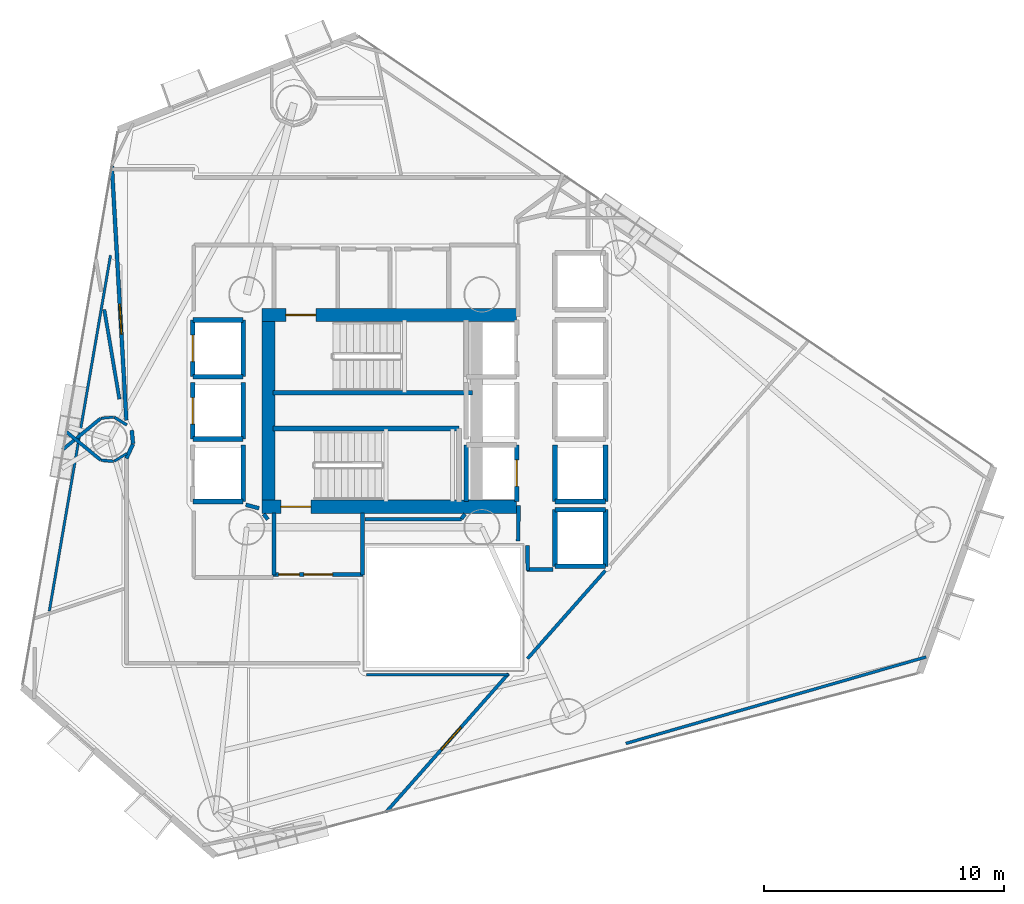
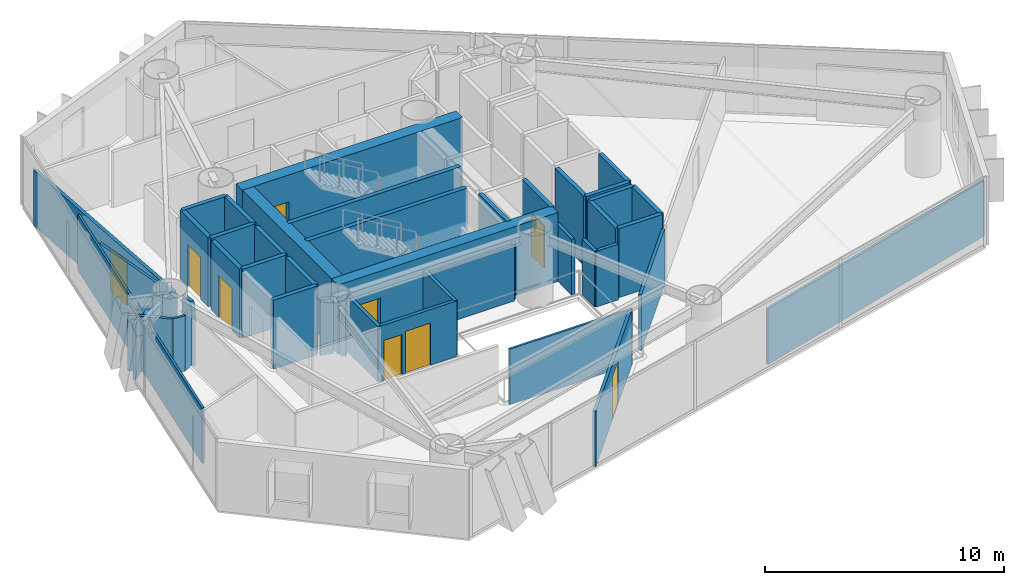
# One storey, part 16 of 21: 48 walls, 9 doors, 9 openings.
"""IFC4 building model written with IfcOpenShell, lengths in metres."""

from ifc_helpers import new_model, si_unit, direction, frame, frame_2d, origin, place, context, subcontext, project, spatial, rectangle, extrude, material, layer, layer_set, type_object, element, fill, save


model = new_model("IFC4")

# Units and contexts
model_context = context("Model", 3, precision=1e-05, world=origin(), true_north=direction((0.0, 1.0)))
body_context = subcontext(model_context, "Body", "Model", "MODEL_VIEW")
ifc_project = project(units=[si_unit("LENGTHUNIT", "METRE"), si_unit("AREAUNIT", "SQUARE_METRE"), si_unit("VOLUMEUNIT", "CUBIC_METRE"), si_unit("PLANEANGLEUNIT", "RADIAN"), si_unit("MASSUNIT", "GRAM", prefix="KILO")], contexts=[model_context])

# Site, building, storey
site_placement = place(None, origin())
site = spatial("IfcSite", under=ifc_project, at=site_placement, CompositionType="ELEMENT")
building_placement = place(site_placement, origin())
building = spatial("IfcBuilding", under=site, at=building_placement, Name="Qianvela Tower", CompositionType="ELEMENT")
storey_placement = place(building_placement, frame((0.0, 0.0, 108.89990234375)))
storey = spatial("IfcBuildingStorey", under=building, at=storey_placement, Name="L27", CompositionType="ELEMENT", Elevation=108.89990234375)

# Wall, opening, door
ifc_material_1 = material(Name="Concrete C60", Category="concrete")
ifc_layer_1 = layer(ifc_material_1, 0.550048828125)
ifc_layer_set_1 = layer_set([ifc_layer_1], Name="Concrete C60")
wall_type_1 = type_object("IfcWallType", Name="WT-CORE-550", PredefinedType="SHEAR", material=ifc_layer_set_1)
wall_1_placement = place(storey_placement, frame((29.22998046875, 32.695068359375, 0.0), z_axis=(0.0, 0.0, 1.0), x_axis=(1.0, 0.0, 0.0)))
wall_1 = element("IfcWall", 1, at=wall_1_placement, inside=storey, type_object=wall_type_1, Name="L27 North Core Shear Wall", PredefinedType="SHEAR", context=body_context, shape_type="SweptSolid", body=[
    extrude(rectangle(XDim=10.6201171875, YDim=0.550048828125, at=frame_2d((5.31005859375, 0.0))), origin(), (0.0, 0.0, 1.0), 3.52001953125),
])
opening_1_placement = place(wall_1_placement, frame((0.9951171875, 0.0, 0.0)))
opening_1 = element("IfcOpeningElement", 2, at=opening_1_placement, cuts=wall_1, Name="Opening D-ST1", PredefinedType="OPENING", context=body_context, shape_type="SweptSolid", body=[
    extrude(rectangle(XDim=1.25, YDim=2.14990234375, at=frame_2d((0.625, 1.074951171875))), frame((0.0, 0.284912109375, 0.0), z_axis=(0.0, -1.0, 0.0), x_axis=(1.0, 0.0, 0.0)), (0.0, 0.0, 1.0), 0.570068359375),
])
ifc_material_2 = material(Name="Galvanised Fire Steel Q355B", Category="steel")
door_type_1 = type_object("IfcDoorType", Name="DT-STAIR-FD90", OperationType="NOTDEFINED", PredefinedType="DOOR", material=ifc_material_2)
door_1_placement = place(opening_1_placement, origin())
door_1 = element("IfcDoor", 3, at=door_1_placement, inside=storey, type_object=door_type_1, Name="L27 Stair ST-1 Exit Door", OperationType="SINGLE_SWING_RIGHT", OverallHeight=2.14990234375, OverallWidth=1.25, PredefinedType="DOOR", context=body_context, shape_type="SweptSolid", body=[
    extrude(rectangle(XDim=1.25, YDim=2.14990234375, at=frame_2d((0.625, 1.074951171875))), frame((0.0, 0.02490234375, 0.0), z_axis=(0.0, -1.0, 0.0), x_axis=(1.0, 0.0, 0.0)), (0.0, 0.0, 1.0), 0.050048828125),
])
fill(opening_1, door_1)

wall_2_placement = place(storey_placement, frame((29.22998046875, 24.705078125, 0.0), z_axis=(0.0, 0.0, 1.0), x_axis=(1.0, 0.0, 0.0)))
wall_2 = element("IfcWall", 4, at=wall_2_placement, inside=storey, type_object=wall_type_1, Name="L27 South Core Shear Wall", PredefinedType="SHEAR", context=body_context, shape_type="SweptSolid", body=[
    extrude(rectangle(XDim=10.6201171875, YDim=0.550048828125, at=frame_2d((5.31005859375, 0.0))), origin(), (0.0, 0.0, 1.0), 3.52001953125),
])
opening_2_placement = place(wall_2_placement, frame((0.794921875, 0.0, 0.0)))
opening_2 = element("IfcOpeningElement", 5, at=opening_2_placement, cuts=wall_2, Name="Opening D-ST1", PredefinedType="OPENING", context=body_context, shape_type="SweptSolid", body=[
    extrude(rectangle(XDim=1.25, YDim=2.14990234375, at=frame_2d((0.625, 1.074951171875))), frame((0.0, 0.284912109375, 0.0), z_axis=(0.0, -1.0, 0.0), x_axis=(1.0, 0.0, 0.0)), (0.0, 0.0, 1.0), 0.570068359375),
])
door_2_placement = place(opening_2_placement, origin())
door_2 = element("IfcDoor", 6, at=door_2_placement, inside=storey, type_object=door_type_1, Name="L27 Stair ST-2 Exit Door", OperationType="SINGLE_SWING_RIGHT", OverallHeight=2.14990234375, OverallWidth=1.25, PredefinedType="DOOR", context=body_context, shape_type="SweptSolid", body=[
    extrude(rectangle(XDim=1.25, YDim=2.14990234375, at=frame_2d((0.625, 1.074951171875))), frame((0.0, 0.02490234375, 0.0), z_axis=(0.0, -1.0, 0.0), x_axis=(1.0, 0.0, 0.0)), (0.0, 0.0, 1.0), 0.050048828125),
])
fill(opening_2, door_2)

# Wall
wall_3_placement = place(storey_placement, frame((29.5048828125, 24.97998046875, 0.0), z_axis=(0.0, 0.0, 1.0), x_axis=(0.0, 1.0, 0.0)))
element("IfcWall", 7, at=wall_3_placement, inside=storey, type_object=wall_type_1, Name="L27 West Core Shear Wall", PredefinedType="SHEAR", context=body_context, shape_type="SweptSolid", body=[
    extrude(rectangle(XDim=7.43994140625, YDim=0.550048828125, at=frame_2d((3.719970703125, 0.0))), origin(), (0.0, 0.0, 1.0), 3.52001953125),
])

# Wall, openings, doors
ifc_material_3 = material(Name="Fire-Rated Gypsum and Concrete Block", Category="concrete")
ifc_layer_2 = layer(ifc_material_3, 0.159912109375)
ifc_layer_set_2 = layer_set([ifc_layer_2], Name="Fire-Rated Gypsum and Concrete Block")
wall_type_2 = type_object("IfcWallType", Name="WT-CORR-160", PredefinedType="PARTITIONING", material=ifc_layer_set_2)
wall_4_placement = place(storey_placement, frame((33.449951171875, 21.881103515625, 0.0), z_axis=(0.0, 0.0, 1.0), x_axis=(-1.0, 0.0, 0.0)))
wall_4 = element("IfcWall", 8, at=wall_4_placement, inside=storey, type_object=wall_type_2, Name="L27 Partition 5", PredefinedType="PARTITIONING", context=body_context, shape_type="SweptSolid", body=[
    extrude(rectangle(XDim=3.75, YDim=0.159912109375, at=frame_2d((1.875, 0.0))), origin(), (0.0, 0.0, 1.0), 2.840087890625),
])
opening_3_placement = place(wall_4_placement, frame((1.27490234375, 0.0, 0.0)))
opening_3 = element("IfcOpeningElement", 9, at=opening_3_placement, cuts=wall_4, Name="Opening D-LB1", PredefinedType="OPENING", context=body_context, shape_type="SweptSolid", body=[
    extrude(rectangle(XDim=1.199951171875, YDim=2.14990234375, at=frame_2d((0.60009765625, 1.074951171875))), frame((0.0, 0.08984375, 0.0), z_axis=(0.0, -1.0, 0.0), x_axis=(1.0, 0.0, 0.0)), (0.0, 0.0, 1.0), 0.179931640625),
])
opening_4_placement = place(wall_4_placement, frame((2.659912109375, 0.0, 0.0)))
opening_4 = element("IfcOpeningElement", 10, at=opening_4_placement, cuts=wall_4, Name="Opening D-LB2", PredefinedType="OPENING", context=body_context, shape_type="SweptSolid", body=[
    extrude(rectangle(XDim=0.860107421875, YDim=2.050048828125, at=frame_2d((0.43017578125, 1.02490234375))), frame((0.0, 0.08984375, 0.0), z_axis=(0.0, -1.0, 0.0), x_axis=(1.0, 0.0, 0.0)), (0.0, 0.0, 1.0), 0.179931640625),
])
ifc_material_4 = material(Name="Glazed Fire-Rated Steel Frame", Category="steel")
door_type_2 = type_object("IfcDoorType", Name="DT-LOBBY-FD90", OperationType="NOTDEFINED", PredefinedType="DOOR", material=ifc_material_4)
door_3_placement = place(opening_3_placement, origin())
door_3 = element("IfcDoor", 11, at=door_3_placement, inside=storey, type_object=door_type_2, Name="L27 Door L27 Firefighting Lobby South to L27 Floor Corridor", OperationType="SINGLE_SWING_LEFT", OverallHeight=2.14990234375, OverallWidth=1.199951171875, PredefinedType="DOOR", context=body_context, shape_type="SweptSolid", body=[
    extrude(rectangle(XDim=1.199951171875, YDim=2.14990234375, at=frame_2d((0.60009765625, 1.074951171875))), frame((0.0, 0.02490234375, 0.0), z_axis=(0.0, -1.0, 0.0), x_axis=(1.0, 0.0, 0.0)), (0.0, 0.0, 1.0), 0.050048828125),
])
fill(opening_3, door_3)
ifc_material_5 = material(Name="Insulated Steel Fire Door Q355B", Category="steel")
door_type_3 = type_object("IfcDoorType", Name="DT-LOBBY-FD90-860", OperationType="NOTDEFINED", PredefinedType="DOOR", material=ifc_material_5)
door_4_placement = place(opening_4_placement, origin())
door_4 = element("IfcDoor", 12, at=door_4_placement, inside=storey, type_object=door_type_3, Name="L27 Door L27 Firefighting Lobby South to L27 Floor Corridor", OperationType="SINGLE_SWING_RIGHT", OverallHeight=2.050048828125, OverallWidth=0.860107421875, PredefinedType="DOOR", context=body_context, shape_type="SweptSolid", body=[
    extrude(rectangle(XDim=0.860107421875, YDim=2.050048828125, at=frame_2d((0.43017578125, 1.02490234375))), frame((0.0, 0.02490234375, 0.0), z_axis=(0.0, -1.0, 0.0), x_axis=(1.0, 0.0, 0.0)), (0.0, 0.0, 1.0), 0.050048828125),
])
fill(opening_4, door_4)

# Walls
for number, where, z_axis, x_axis, name in (
    (13, (29.73095703125, 21.85009765625, 0.0), (0.0, 0.0, 1.0), (0.0, 1.0, 0.0), "L27 Partition 6"),
    (14, (33.4189453125, 24.44189453125, 0.0), (0.0, 0.0, 1.0), (0.0, -1.0, 0.0), "L27 Partition 8"),
):
    element("IfcWall", number, at=place(storey_placement, frame(where, z_axis=z_axis, x_axis=x_axis)), inside=storey, type_object=wall_type_2, Name=name, PredefinedType="PARTITIONING", context=body_context, shape_type="SweptSolid", body=[
        extrude(rectangle(XDim=2.591796875, YDim=0.159912109375, at=frame_2d((1.2958984375, 0.0))), origin(), (0.0, 0.0, 1.0), 2.840087890625),
    ])
wall_5_placement = place(storey_placement, frame((41.360107421875, 22.0810546875, 0.0), z_axis=(0.0, 0.0, 1.0), x_axis=(-1.0, 0.0, 0.0)))
element("IfcWall", 15, at=wall_5_placement, inside=storey, type_object=wall_type_2, Name="L27 Partition 15", PredefinedType="PARTITIONING", context=body_context, shape_type="SweptSolid", body=[
    extrude(rectangle(XDim=1.080078125, YDim=0.159912109375, at=frame_2d((0.5400390625, 0.0))), origin(), (0.0, 0.0, 1.0), 2.840087890625),
])
wall_6_placement = place(storey_placement, frame((40.31103515625, 22.05029296875, 0.0), z_axis=(0.0, 0.0, 1.0), x_axis=(-0.011836292006, 0.999929948642, 0.0)))
element("IfcWall", 16, at=wall_6_placement, inside=storey, type_object=wall_type_2, Name="L27 Partition 16", PredefinedType="PARTITIONING", context=body_context, shape_type="SweptSolid", body=[
    extrude(rectangle(XDim=1.03125, YDim=0.159912109375, at=frame_2d((0.515625, 0.0))), origin(), (0.0, 0.0, 1.0), 2.840087890625),
])
wall_7_placement = place(storey_placement, frame((39.910888671875, 23.27978515625, 0.0), z_axis=(0.0, 0.0, 1.0), x_axis=(0.009397771291, 0.999955839972, 0.0)))
element("IfcWall", 17, at=wall_7_placement, inside=storey, type_object=wall_type_2, Name="L27 Partition 17", PredefinedType="PARTITIONING", context=body_context, shape_type="SweptSolid", body=[
    extrude(rectangle(XDim=1.480712890625, YDim=0.159912109375, at=frame_2d((0.740234375, 0.0))), origin(), (0.0, 0.0, 1.0), 2.840087890625),
])
wall_8_placement = place(storey_placement, frame((29.47998046875, 24.1689453125, 0.0), z_axis=(0.0, 0.0, 1.0), x_axis=(-0.607608252226, 0.794236873878, 0.0)))
element("IfcWall", 18, at=wall_8_placement, inside=storey, type_object=wall_type_2, Name="L27 Partition 30", PredefinedType="PARTITIONING", context=body_context, shape_type="SweptSolid", body=[
    extrude(rectangle(XDim=0.286376953125, YDim=0.159912109375, at=frame_2d((0.14306640625, 0.0))), origin(), (0.0, 0.0, 1.0), 2.840087890625),
])
wall_9_placement = place(storey_placement, frame((29.113525390625, 24.63671875, 0.0), z_axis=(0.0, 0.0, 1.0), x_axis=(-0.966199685486, 0.257794817183, 0.0)))
element("IfcWall", 19, at=wall_9_placement, inside=storey, type_object=wall_type_2, Name="L27 Partition 31", PredefinedType="PARTITIONING", context=body_context, shape_type="SweptSolid", body=[
    extrude(rectangle(XDim=0.574951171875, YDim=0.159912109375, at=frame_2d((0.28759765625, 0.0))), origin(), (0.0, 0.0, 1.0), 2.840087890625),
])
wall_10_placement = place(storey_placement, frame((37.694091796875, 24.396484375, 0.0), z_axis=(0.0, 0.0, 1.0), x_axis=(-0.607118658061, -0.794611184815, 0.0)))
element("IfcWall", 20, at=wall_10_placement, inside=storey, type_object=wall_type_2, Name="L27 Partition 38", PredefinedType="PARTITIONING", context=body_context, shape_type="SweptSolid", body=[
    extrude(rectangle(XDim=0.24609375, YDim=0.159912109375, at=frame_2d((0.123046875, 0.0))), origin(), (0.0, 0.0, 1.0), 2.840087890625),
])
wall_11_placement = place(storey_placement, frame((37.544677734375, 24.180908203125, 0.0), z_axis=(0.0, 0.0, 1.0), x_axis=(-1.0, 0.0, 0.0)))
element("IfcWall", 21, at=wall_11_placement, inside=storey, type_object=wall_type_2, Name="L27 Partition 39", PredefinedType="PARTITIONING", context=body_context, shape_type="SweptSolid", body=[
    extrude(rectangle(XDim=4.0146484375, YDim=0.159912109375, at=frame_2d((2.00732421875, 0.0))), origin(), (0.0, 0.0, 1.0), 2.840087890625),
])

# Wall, opening, door
wall_12_placement = place(storey_placement, frame((23.5810546875, 28.306640625, 0.0), z_axis=(0.0, 0.0, 1.0), x_axis=(-0.056927299401, 0.998378326379, 0.0)))
wall_12 = element("IfcWall", 22, at=wall_12_placement, inside=storey, type_object=wall_type_2, Name="L27 Partition 40", PredefinedType="PARTITIONING", context=body_context, shape_type="SweptSolid", body=[
    extrude(rectangle(XDim=10.614501953125, YDim=0.159912109375, at=frame_2d((5.30712890625, 0.0))), origin(), (0.0, 0.0, 1.0), 2.840087890625),
])
opening_5_placement = place(wall_12_placement, frame((3.59423828125, 0.0, 0.0)))
opening_5 = element("IfcOpeningElement", 23, at=opening_5_placement, cuts=wall_12, Name="Opening D-LG1", PredefinedType="OPENING", context=body_context, shape_type="SweptSolid", body=[
    extrude(rectangle(XDim=1.25, YDim=2.199951171875, at=frame_2d((0.625, 1.10009765625))), frame((0.0, 0.08984375, 0.0), z_axis=(0.0, -1.0, 0.0), x_axis=(1.0, 0.0, 0.0)), (0.0, 0.0, 1.0), 0.179931640625),
])
ifc_material_6 = material(Name="Anodised Aluminium Acoustic Glass Door", Category="aluminium")
door_type_4 = type_object("IfcDoorType", Name="DT-LOUNGE-1250", OperationType="NOTDEFINED", PredefinedType="DOOR", material=ifc_material_6)
door_5_placement = place(opening_5_placement, origin())
door_5 = element("IfcDoor", 24, at=door_5_placement, inside=storey, type_object=door_type_4, Name="L27 Door Graduate Seminar Classroom L27-04 to L27 Floor Corridor", OperationType="SINGLE_SWING_RIGHT", OverallHeight=2.199951171875, OverallWidth=1.25, PredefinedType="DOOR", context=body_context, shape_type="SweptSolid", body=[
    extrude(rectangle(XDim=1.25, YDim=2.199951171875, at=frame_2d((0.625, 1.10009765625))), frame((0.0, 0.02490234375, 0.0), z_axis=(0.0, -1.0, 0.0), x_axis=(1.0, 0.0, 0.0)), (0.0, 0.0, 1.0), 0.050048828125),
])
fill(opening_5, door_5)

# Walls
wall_13_placement = place(storey_placement, frame((23.578125, 26.71240234375, 0.0), z_axis=(0.0, 0.0, 1.0), x_axis=(0.421251946418, 0.906943657367, 0.0)))
element("IfcWall", 25, at=wall_13_placement, inside=storey, type_object=wall_type_2, Name="L27 Partition 53", PredefinedType="PARTITIONING", context=body_context, shape_type="SweptSolid", body=[
    extrude(rectangle(XDim=0.6630859375, YDim=0.159912109375, at=frame_2d((0.33154296875, 0.0))), origin(), (0.0, 0.0, 1.0), 2.840087890625),
])
wall_14_placement = place(storey_placement, frame((23.860107421875, 27.329833984375, 0.0), z_axis=(0.0, 0.0, 1.0), x_axis=(-0.098000919071, 0.995186324193, 0.0)))
element("IfcWall", 26, at=wall_14_placement, inside=storey, type_object=wall_type_2, Name="L27 Partition 54", PredefinedType="PARTITIONING", context=body_context, shape_type="SweptSolid", body=[
    extrude(rectangle(XDim=0.56298828125, YDim=0.159912109375, at=frame_2d((0.281494140625, 0.0))), origin(), (0.0, 0.0, 1.0), 2.840087890625),
])
ifc_material_7 = material(Name="Lightweight Gypsum Room Partition")
ifc_layer_3 = layer(ifc_material_7, 0.10498046875)
ifc_layer_set_3 = layer_set([ifc_layer_3], Name="Lightweight Gypsum Room Partition")
wall_type_3 = type_object("IfcWallType", Name="WT-PART-105", PredefinedType="PARTITIONING", material=ifc_layer_set_3)
wall_15_placement = place(storey_placement, frame((33.60009765625, 17.68896484375, 0.0), z_axis=(0.0, 0.0, 1.0), x_axis=(1.0, 0.0, 0.0)))
element("IfcWall", 27, at=wall_15_placement, inside=storey, type_object=wall_type_3, Name="L27 Partition 56", PredefinedType="PARTITIONING", context=body_context, shape_type="SweptSolid", body=[
    extrude(rectangle(XDim=5.925048828125, YDim=0.10498046875, at=frame_2d((2.96240234375, 0.0))), origin(), (0.0, 0.0, 1.0), 2.840087890625),
])
wall_16_placement = place(storey_placement, frame((23.052490234375, 28.439453125, 0.0), z_axis=(0.0, 0.0, 1.0), x_axis=(-0.995191506225, -0.09794828195, 0.0)))
element("IfcWall", 28, at=wall_16_placement, inside=storey, type_object=wall_type_3, Name="L27 Partition 104", PredefinedType="PARTITIONING", context=body_context, shape_type="SweptSolid", body=[
    extrude(rectangle(XDim=0.5283203125, YDim=0.10498046875, at=frame_2d((0.26416015625, 0.0))), origin(), (0.0, 0.0, 1.0), 2.840087890625),
])
wall_17_placement = place(storey_placement, frame((23.07177734375, 26.59716796875, 0.0), z_axis=(0.0, 0.0, 1.0), x_axis=(0.851536753009, 0.524294915363, 0.0)))
element("IfcWall", 29, at=wall_17_placement, inside=storey, type_object=wall_type_3, Name="L27 Partition 110", PredefinedType="PARTITIONING", context=body_context, shape_type="SweptSolid", body=[
    extrude(rectangle(XDim=0.62060546875, YDim=0.10498046875, at=frame_2d((0.310302734375, 0.0))), origin(), (0.0, 0.0, 1.0), 2.840087890625),
])
wall_18_placement = place(storey_placement, frame((20.37109375, 20.35791015625, 0.0), z_axis=(0.0, 0.0, 1.0), x_axis=(0.169525939527, 0.985525725604, 0.0)))
element("IfcWall", 30, at=wall_18_placement, inside=storey, type_object=wall_type_3, Name="L27 Partition 113", PredefinedType="PARTITIONING", context=body_context, shape_type="SweptSolid", body=[
    extrude(rectangle(XDim=15.043701171875, YDim=0.10498046875, at=frame_2d((7.52197265625, 0.0))), origin(), (0.0, 0.0, 1.0), 2.840087890625),
])
ifc_material_8 = material(Name="Insulated Gypsum Stud Partition")
ifc_layer_4 = layer(ifc_material_8, 0.1201171875)
ifc_layer_set_4 = layer_set([ifc_layer_4], Name="Insulated Gypsum Stud Partition")
wall_type_4 = type_object("IfcWallType", Name="WT-PART-120", PredefinedType="PARTITIONING", material=ifc_layer_set_4)
wall_19_placement = place(storey_placement, frame((56.912109375, 18.439453125, 0.0), z_axis=(0.0, 0.0, 1.0), x_axis=(-0.960919467694, -0.276828063256, 0.0)))
element("IfcWall", 31, at=wall_19_placement, inside=storey, type_object=wall_type_4, Name="L27 Partition 67 seg 1", PredefinedType="PARTITIONING", context=body_context, shape_type="SweptSolid", body=[
    extrude(rectangle(XDim=13.019775390625, YDim=0.1201171875, at=frame_2d((6.509765625, 0.0))), origin(), (0.0, 0.0, 1.0), 2.840087890625),
])
wall_20_placement = place(storey_placement, frame((23.600341796875, 28.109619140625, 0.0), z_axis=(0.0, 0.0, 1.0), x_axis=(-0.851712341449, 0.524009625316, 0.0)))
element("IfcWall", 32, at=wall_20_placement, inside=storey, type_object=wall_type_4, Name="L27 Partition 103", PredefinedType="PARTITIONING", context=body_context, shape_type="SweptSolid", body=[
    extrude(rectangle(XDim=0.62060546875, YDim=0.1201171875, at=frame_2d((0.310302734375, 0.0))), origin(), (0.0, 0.0, 1.0), 2.840087890625),
])
wall_21_placement = place(storey_placement, frame((22.526611328125, 26.644287109375, 0.0), z_axis=(0.0, 0.0, 1.0), x_axis=(0.995191506225, -0.09794828195, 0.0)))
element("IfcWall", 33, at=wall_21_placement, inside=storey, type_object=wall_type_4, Name="L27 Partition 109", PredefinedType="PARTITIONING", context=body_context, shape_type="SweptSolid", body=[
    extrude(rectangle(XDim=0.5283203125, YDim=0.1201171875, at=frame_2d((0.26416015625, 0.0))), origin(), (0.0, 0.0, 1.0), 2.840087890625),
])

# Wall, opening, door
ifc_material_9 = material(Name="Acoustic Double Gypsum Stud Partition")
ifc_layer_5 = layer(ifc_material_9, 0.139892578125)
ifc_layer_set_5 = layer_set([ifc_layer_5], Name="Acoustic Double Gypsum Stud Partition")
wall_type_5 = type_object("IfcWallType", Name="WT-ROOM-140", PredefinedType="PARTITIONING", material=ifc_layer_set_5)
wall_22_placement = place(storey_placement, frame((39.501953125, 17.740478515625, 0.0), z_axis=(0.0, 0.0, 1.0), x_axis=(-0.662230930848, -0.749299802635, 0.0)))
wall_22 = element("IfcWall", 34, at=wall_22_placement, inside=storey, type_object=wall_type_5, Name="L27 Partition 57", PredefinedType="PARTITIONING", context=body_context, shape_type="SweptSolid", body=[
    extrude(rectangle(XDim=7.697021484375, YDim=0.139892578125, at=frame_2d((3.8486328125, 0.0))), origin(), (0.0, 0.0, 1.0), 2.840087890625),
])
opening_6_placement = place(wall_22_placement, frame((2.98046875, 0.0, 0.0)))
opening_6 = element("IfcOpeningElement", 35, at=opening_6_placement, cuts=wall_22, Name="Opening D-LG1", PredefinedType="OPENING", context=body_context, shape_type="SweptSolid", body=[
    extrude(rectangle(XDim=1.25, YDim=2.199951171875, at=frame_2d((0.625, 1.10009765625))), frame((0.0, 0.079833984375, 0.0), z_axis=(0.0, -1.0, 0.0), x_axis=(1.0, 0.0, 0.0)), (0.0, 0.0, 1.0), 0.159912109375),
])
door_6_placement = place(opening_6_placement, origin())
door_6 = element("IfcDoor", 36, at=door_6_placement, inside=storey, type_object=door_type_4, Name="L27 Door Quiet Desk Workspace L27-01B to Collaborative Co-working Office L27-01A", OperationType="SINGLE_SWING_LEFT", OverallHeight=2.199951171875, OverallWidth=1.25, PredefinedType="DOOR", context=body_context, shape_type="SweptSolid", body=[
    extrude(rectangle(XDim=1.25, YDim=2.199951171875, at=frame_2d((0.625, 1.10009765625))), frame((0.0, 0.02490234375, 0.0), z_axis=(0.0, -1.0, 0.0), x_axis=(1.0, 0.0, 0.0)), (0.0, 0.0, 1.0), 0.050048828125),
])
fill(opening_6, door_6)

# Walls
wall_23_placement = place(storey_placement, frame((40.30322265625, 18.372314453125, 0.0), z_axis=(0.0, 0.0, 1.0), x_axis=(0.662221894186, 0.749307789136, 0.0)))
element("IfcWall", 37, at=wall_23_placement, inside=storey, type_object=wall_type_5, Name="L27 Partition 63", PredefinedType="PARTITIONING", context=body_context, shape_type="SweptSolid", body=[
    extrude(rectangle(XDim=4.894775390625, YDim=0.139892578125, at=frame_2d((2.447265625, 0.0))), origin(), (0.0, 0.0, 1.0), 2.840087890625),
])
wall_24_placement = place(storey_placement, frame((22.510009765625, 28.380615234375, 0.0), z_axis=(0.0, 0.0, 1.0), x_axis=(-0.772998253564, -0.63440814937, 0.0)))
element("IfcWall", 38, at=wall_24_placement, inside=storey, type_object=wall_type_5, Name="L27 Partition 105", PredefinedType="PARTITIONING", context=body_context, shape_type="SweptSolid", body=[
    extrude(rectangle(XDim=2.04345703125, YDim=0.139892578125, at=frame_2d((1.021728515625, 0.0))), origin(), (0.0, 0.0, 1.0), 2.840087890625),
])
wall_25_placement = place(storey_placement, frame((21.056884765625, 27.843994140625, 0.0), z_axis=(0.0, 0.0, 1.0), x_axis=(0.772990083311, -0.634418104331, 0.0)))
element("IfcWall", 39, at=wall_25_placement, inside=storey, type_object=wall_type_5, Name="L27 Partition 108", PredefinedType="PARTITIONING", context=body_context, shape_type="SweptSolid", body=[
    extrude(rectangle(XDim=1.8798828125, YDim=0.139892578125, at=frame_2d((0.93994140625, 0.0))), origin(), (0.0, 0.0, 1.0), 2.840087890625),
])
wall_26_placement = place(storey_placement, frame((22.66162109375, 32.9208984375, 0.0), z_axis=(0.0, 0.0, 1.0), x_axis=(0.166124935367, -0.98610471343, 0.0)))
element("IfcWall", 40, at=wall_26_placement, inside=storey, type_object=wall_type_5, Name="L27 Partition 114 seg 1", PredefinedType="PARTITIONING", context=body_context, shape_type="SweptSolid", body=[
    extrude(rectangle(XDim=3.7841796875, YDim=0.139892578125, at=frame_2d((1.89208984375, 0.0))), origin(), (0.0, 0.0, 1.0), 2.840087890625),
])
ifc_material_10 = material(Name="Concrete C50", Category="concrete")
ifc_layer_6 = layer(ifc_material_10, 0.199951171875)
ifc_layer_set_6 = layer_set([ifc_layer_6], Name="Concrete C50")
wall_type_6 = type_object("IfcWallType", Name="WT-SHAFT-200", PredefinedType="SOLIDWALL", material=ifc_layer_set_6)
wall_27_placement = place(storey_placement, frame((29.699951171875, 29.449951171875, 0.0), z_axis=(0.0, 0.0, 1.0), x_axis=(1.0, 0.0, 0.0)))
element("IfcWall", 41, at=wall_27_placement, inside=storey, type_object=wall_type_6, Name="L27 Stair ST-1 South Wall", PredefinedType="SOLIDWALL", context=body_context, shape_type="SweptSolid", body=[
    extrude(rectangle(XDim=8.300048828125, YDim=0.199951171875, at=frame_2d((4.14990234375, 0.0))), origin(), (0.0, 0.0, 1.0), 3.52001953125),
])
wall_28_placement = place(storey_placement, frame((29.699951171875, 27.9599609375, 0.0), z_axis=(0.0, 0.0, 1.0), x_axis=(1.0, 0.0, 0.0)))
element("IfcWall", 42, at=wall_28_placement, inside=storey, type_object=wall_type_6, Name="L27 Stair ST-2 North Wall", PredefinedType="SOLIDWALL", context=body_context, shape_type="SweptSolid", body=[
    extrude(rectangle(XDim=7.75, YDim=0.199951171875, at=frame_2d((3.875, 0.0))), origin(), (0.0, 0.0, 1.0), 3.52001953125),
])

# Wall, opening, door
wall_29_placement = place(storey_placement, frame((39.85009765625, 24.919921875, 0.0), z_axis=(0.0, 0.0, 1.0), x_axis=(0.0, 1.0, 0.0)))
wall_29 = element("IfcWall", 43, at=wall_29_placement, inside=storey, type_object=wall_type_6, Name="L27 Lift FL-2 E Shaft Wall", PredefinedType="SOLIDWALL", context=body_context, shape_type="SweptSolid", body=[
    extrude(rectangle(XDim=2.360107421875, YDim=0.199951171875, at=frame_2d((1.18017578125, 0.0))), origin(), (0.0, 0.0, 1.0), 3.52001953125),
])
opening_7_placement = place(wall_29_placement, frame((0.6298828125, 0.0, 0.0)))
opening_7 = element("IfcOpeningElement", 44, at=opening_7_placement, cuts=wall_29, Name="Opening LD-01", PredefinedType="OPENING", context=body_context, shape_type="SweptSolid", body=[
    extrude(rectangle(XDim=1.10009765625, YDim=2.14990234375, at=frame_2d((0.550048828125, 1.074951171875))), frame((0.0, 0.10986328125, 0.0), z_axis=(0.0, -1.0, 0.0), x_axis=(1.0, 0.0, 0.0)), (0.0, 0.0, 1.0), 0.219970703125),
])
ifc_material_11 = material(Name="Brushed Stainless Steel Lift Landing Door", Category="steel")
door_type_5 = type_object("IfcDoorType", Name="DT-LIFT-SLIDE-1100", OperationType="SLIDING_TO_LEFT", PredefinedType="DOOR", material=ifc_material_11)
door_7_placement = place(opening_7_placement, origin())
door_7 = element("IfcDoor", 45, at=door_7_placement, inside=storey, type_object=door_type_5, Name="L27 Lift FL-2 Sliding Landing Door", OperationType="SLIDING_TO_LEFT", OverallHeight=2.14990234375, OverallWidth=1.10009765625, PredefinedType="DOOR", context=body_context, shape_type="SweptSolid", body=[
    extrude(rectangle(XDim=1.10009765625, YDim=2.14990234375, at=frame_2d((0.550048828125, 1.074951171875))), frame((0.0, 0.02490234375, 0.0), z_axis=(0.0, -1.0, 0.0), x_axis=(1.0, 0.0, 0.0)), (0.0, 0.0, 1.0), 0.050048828125),
])
fill(opening_7, door_7)

# Walls
wall_30_placement = place(storey_placement, frame((37.75, 24.919921875, 0.0), z_axis=(0.0, 0.0, 1.0), x_axis=(0.0, 1.0, 0.0)))
element("IfcWall", 46, at=wall_30_placement, inside=storey, type_object=wall_type_6, Name="L27 Lift FL-2 W Shaft Wall", PredefinedType="SOLIDWALL", context=body_context, shape_type="SweptSolid", body=[
    extrude(rectangle(XDim=2.360107421875, YDim=0.199951171875, at=frame_2d((1.18017578125, 0.0))), origin(), (0.0, 0.0, 1.0), 3.52001953125),
])
wall_31_placement = place(storey_placement, frame((28.449951171875, 30.1201171875, 0.0), z_axis=(0.0, 0.0, 1.0), x_axis=(0.0, 1.0, 0.0)))
element("IfcWall", 47, at=wall_31_placement, inside=storey, type_object=wall_type_6, Name="L27 Lift PL-L1 E Shaft Wall", PredefinedType="SOLIDWALL", context=body_context, shape_type="SweptSolid", body=[
    extrude(rectangle(XDim=2.35986328125, YDim=0.199951171875, at=frame_2d((1.179931640625, 0.0))), origin(), (0.0, 0.0, 1.0), 3.52001953125),
])

# Wall, opening, door
wall_32_placement = place(storey_placement, frame((26.35009765625, 30.1201171875, 0.0), z_axis=(0.0, 0.0, 1.0), x_axis=(0.0, 1.0, 0.0)))
wall_32 = element("IfcWall", 48, at=wall_32_placement, inside=storey, type_object=wall_type_6, Name="L27 Lift PL-L1 W Shaft Wall", PredefinedType="SOLIDWALL", context=body_context, shape_type="SweptSolid", body=[
    extrude(rectangle(XDim=2.35986328125, YDim=0.199951171875, at=frame_2d((1.179931640625, 0.0))), origin(), (0.0, 0.0, 1.0), 3.52001953125),
])
opening_8_placement = place(wall_32_placement, frame((0.6298828125, 0.0, 0.0)))
opening_8 = element("IfcOpeningElement", 49, at=opening_8_placement, cuts=wall_32, Name="Opening LD-01", PredefinedType="OPENING", context=body_context, shape_type="SweptSolid", body=[
    extrude(rectangle(XDim=1.10009765625, YDim=2.14990234375, at=frame_2d((0.550048828125, 1.074951171875))), frame((0.0, 0.10986328125, 0.0), z_axis=(0.0, -1.0, 0.0), x_axis=(1.0, 0.0, 0.0)), (0.0, 0.0, 1.0), 0.219970703125),
])
door_8_placement = place(opening_8_placement, origin())
door_8 = element("IfcDoor", 50, at=door_8_placement, inside=storey, type_object=door_type_5, Name="L27 Lift PL-L1 Sliding Landing Door", OperationType="SLIDING_TO_LEFT", OverallHeight=2.14990234375, OverallWidth=1.10009765625, PredefinedType="DOOR", context=body_context, shape_type="SweptSolid", body=[
    extrude(rectangle(XDim=1.10009765625, YDim=2.14990234375, at=frame_2d((0.550048828125, 1.074951171875))), frame((0.0, 0.02490234375, 0.0), z_axis=(0.0, -1.0, 0.0), x_axis=(1.0, 0.0, 0.0)), (0.0, 0.0, 1.0), 0.050048828125),
])
fill(opening_8, door_8)

# Walls
for number, where, z_axis, x_axis, name in (
    (51, (26.35009765625, 32.47998046875, 0.0), (0.0, 0.0, 1.0), (1.0, 0.0, 0.0), "L27 Lift PL-L1 N Shaft Wall"),
    (52, (26.35009765625, 30.1201171875, 0.0), (0.0, 0.0, 1.0), (1.0, 0.0, 0.0), "L27 Lift PL-L1 S Shaft Wall"),
):
    element("IfcWall", number, at=place(storey_placement, frame(where, z_axis=z_axis, x_axis=x_axis)), inside=storey, type_object=wall_type_6, Name=name, PredefinedType="SOLIDWALL", context=body_context, shape_type="SweptSolid", body=[
        extrude(rectangle(XDim=2.099853515625, YDim=0.199951171875, at=frame_2d((1.0498046875, 0.0))), origin(), (0.0, 0.0, 1.0), 3.52001953125),
    ])
wall_33_placement = place(storey_placement, frame((28.449951171875, 27.52001953125, 0.0), z_axis=(0.0, 0.0, 1.0), x_axis=(0.0, 1.0, 0.0)))
element("IfcWall", 53, at=wall_33_placement, inside=storey, type_object=wall_type_6, Name="L27 Lift PL-L2 E Shaft Wall", PredefinedType="SOLIDWALL", context=body_context, shape_type="SweptSolid", body=[
    extrude(rectangle(XDim=2.35986328125, YDim=0.199951171875, at=frame_2d((1.179931640625, 0.0))), origin(), (0.0, 0.0, 1.0), 3.52001953125),
])

# Wall, opening, door
wall_34_placement = place(storey_placement, frame((26.35009765625, 27.52001953125, 0.0), z_axis=(0.0, 0.0, 1.0), x_axis=(0.0, 1.0, 0.0)))
wall_34 = element("IfcWall", 54, at=wall_34_placement, inside=storey, type_object=wall_type_6, Name="L27 Lift PL-L2 W Shaft Wall", PredefinedType="SOLIDWALL", context=body_context, shape_type="SweptSolid", body=[
    extrude(rectangle(XDim=2.35986328125, YDim=0.199951171875, at=frame_2d((1.179931640625, 0.0))), origin(), (0.0, 0.0, 1.0), 3.52001953125),
])
opening_9_placement = place(wall_34_placement, frame((0.6298828125, 0.0, 0.0)))
opening_9 = element("IfcOpeningElement", 55, at=opening_9_placement, cuts=wall_34, Name="Opening LD-01", PredefinedType="OPENING", context=body_context, shape_type="SweptSolid", body=[
    extrude(rectangle(XDim=1.10009765625, YDim=2.14990234375, at=frame_2d((0.550048828125, 1.074951171875))), frame((0.0, 0.10986328125, 0.0), z_axis=(0.0, -1.0, 0.0), x_axis=(1.0, 0.0, 0.0)), (0.0, 0.0, 1.0), 0.219970703125),
])
door_9_placement = place(opening_9_placement, origin())
door_9 = element("IfcDoor", 56, at=door_9_placement, inside=storey, type_object=door_type_5, Name="L27 Lift PL-L2 Sliding Landing Door", OperationType="SLIDING_TO_LEFT", OverallHeight=2.14990234375, OverallWidth=1.10009765625, PredefinedType="DOOR", context=body_context, shape_type="SweptSolid", body=[
    extrude(rectangle(XDim=1.10009765625, YDim=2.14990234375, at=frame_2d((0.550048828125, 1.074951171875))), frame((0.0, 0.02490234375, 0.0), z_axis=(0.0, -1.0, 0.0), x_axis=(1.0, 0.0, 0.0)), (0.0, 0.0, 1.0), 0.050048828125),
])
fill(opening_9, door_9)

# Walls
wall_35_placement = place(storey_placement, frame((26.35009765625, 27.52001953125, 0.0), z_axis=(0.0, 0.0, 1.0), x_axis=(1.0, 0.0, 0.0)))
element("IfcWall", 57, at=wall_35_placement, inside=storey, type_object=wall_type_6, Name="L27 Lift PL-L2 S Shaft Wall", PredefinedType="SOLIDWALL", context=body_context, shape_type="SweptSolid", body=[
    extrude(rectangle(XDim=2.099853515625, YDim=0.199951171875, at=frame_2d((1.0498046875, 0.0))), origin(), (0.0, 0.0, 1.0), 3.52001953125),
])
wall_36_placement = place(storey_placement, frame((28.449951171875, 24.919921875, 0.0), z_axis=(0.0, 0.0, 1.0), x_axis=(0.0, 1.0, 0.0)))
element("IfcWall", 58, at=wall_36_placement, inside=storey, type_object=wall_type_6, Name="L27 Lift PL-L3 E Shaft Wall", PredefinedType="SOLIDWALL", context=body_context, shape_type="SweptSolid", body=[
    extrude(rectangle(XDim=2.360107421875, YDim=0.199951171875, at=frame_2d((1.18017578125, 0.0))), origin(), (0.0, 0.0, 1.0), 3.52001953125),
])
wall_37_placement = place(storey_placement, frame((26.35009765625, 24.919921875, 0.0), z_axis=(0.0, 0.0, 1.0), x_axis=(1.0, 0.0, 0.0)))
element("IfcWall", 59, at=wall_37_placement, inside=storey, type_object=wall_type_6, Name="L27 Lift PL-L3 S Shaft Wall", PredefinedType="SOLIDWALL", context=body_context, shape_type="SweptSolid", body=[
    extrude(rectangle(XDim=2.099853515625, YDim=0.199951171875, at=frame_2d((1.0498046875, 0.0))), origin(), (0.0, 0.0, 1.0), 3.52001953125),
])
for number, where, z_axis, x_axis, name in (
    (60, (43.550048828125, 24.919921875, 0.0), (0.0, 0.0, 1.0), (0.0, 1.0, 0.0), "L27 Lift PL-M3 E Shaft Wall"),
    (61, (41.449951171875, 24.919921875, 0.0), (0.0, 0.0, 1.0), (0.0, 1.0, 0.0), "L27 Lift PL-M3 W Shaft Wall"),
):
    element("IfcWall", number, at=place(storey_placement, frame(where, z_axis=z_axis, x_axis=x_axis)), inside=storey, type_object=wall_type_6, Name=name, PredefinedType="SOLIDWALL", context=body_context, shape_type="SweptSolid", body=[
        extrude(rectangle(XDim=2.360107421875, YDim=0.199951171875, at=frame_2d((1.18017578125, 0.0))), origin(), (0.0, 0.0, 1.0), 3.52001953125),
    ])
wall_38_placement = place(storey_placement, frame((41.449951171875, 24.919921875, 0.0), z_axis=(0.0, 0.0, 1.0), x_axis=(1.0, 0.0, 0.0)))
element("IfcWall", 62, at=wall_38_placement, inside=storey, type_object=wall_type_6, Name="L27 Lift PL-M3 S Shaft Wall", PredefinedType="SOLIDWALL", context=body_context, shape_type="SweptSolid", body=[
    extrude(rectangle(XDim=2.10009765625, YDim=0.199951171875, at=frame_2d((1.050048828125, 0.0))), origin(), (0.0, 0.0, 1.0), 3.52001953125),
])
for number, where, z_axis, x_axis, name in (
    (63, (43.550048828125, 22.219970703125, 0.0), (0.0, 0.0, 1.0), (0.0, 1.0, 0.0), "L27 Lift PL-H2 E Shaft Wall"),
    (64, (41.449951171875, 22.219970703125, 0.0), (0.0, 0.0, 1.0), (0.0, 1.0, 0.0), "L27 Lift PL-H2 W Shaft Wall"),
):
    element("IfcWall", number, at=place(storey_placement, frame(where, z_axis=z_axis, x_axis=x_axis)), inside=storey, type_object=wall_type_6, Name=name, PredefinedType="SOLIDWALL", context=body_context, shape_type="SweptSolid", body=[
        extrude(rectangle(XDim=2.360107421875, YDim=0.199951171875, at=frame_2d((1.18017578125, 0.0))), origin(), (0.0, 0.0, 1.0), 3.52001953125),
    ])
for number, where, z_axis, x_axis, name in (
    (65, (41.449951171875, 24.580078125, 0.0), (0.0, 0.0, 1.0), (1.0, 0.0, 0.0), "L27 Lift PL-H2 N Shaft Wall"),
    (66, (41.449951171875, 22.219970703125, 0.0), (0.0, 0.0, 1.0), (1.0, 0.0, 0.0), "L27 Lift PL-H2 S Shaft Wall"),
):
    element("IfcWall", number, at=place(storey_placement, frame(where, z_axis=z_axis, x_axis=x_axis)), inside=storey, type_object=wall_type_6, Name=name, PredefinedType="SOLIDWALL", context=body_context, shape_type="SweptSolid", body=[
        extrude(rectangle(XDim=2.10009765625, YDim=0.199951171875, at=frame_2d((1.050048828125, 0.0))), origin(), (0.0, 0.0, 1.0), 3.52001953125),
    ])

save(model, "model.ifc")
